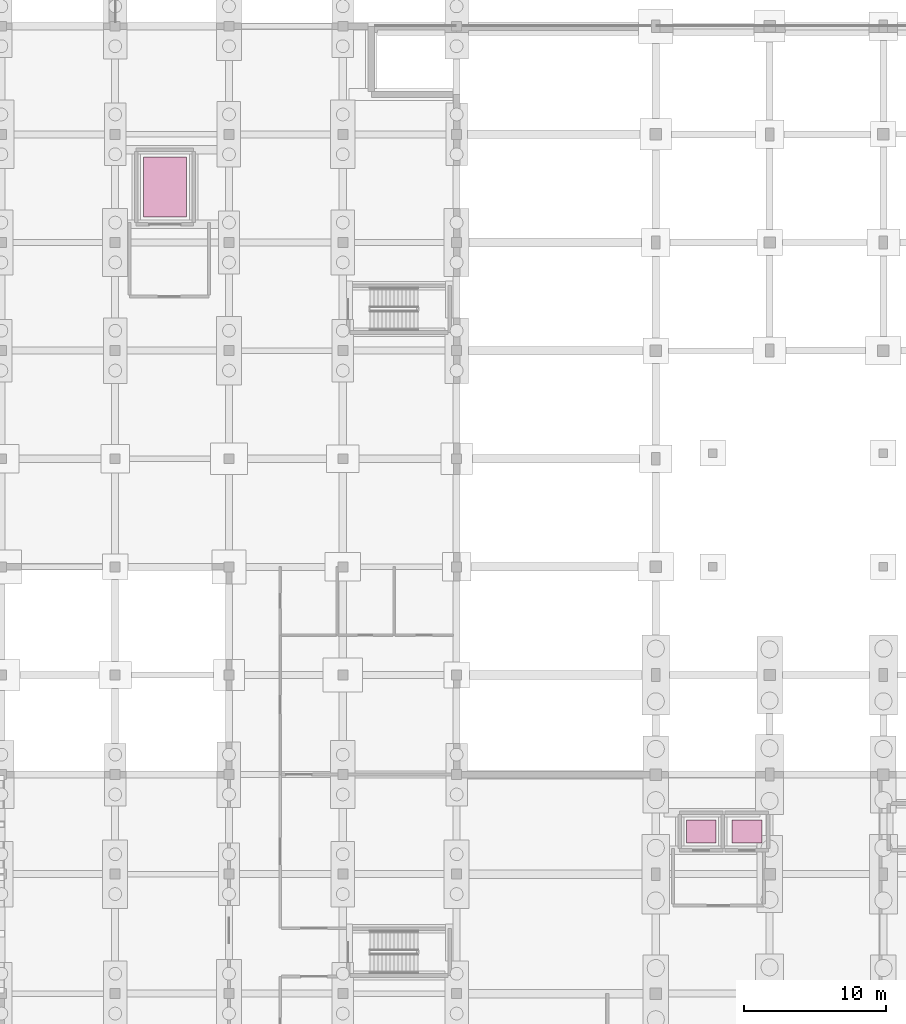
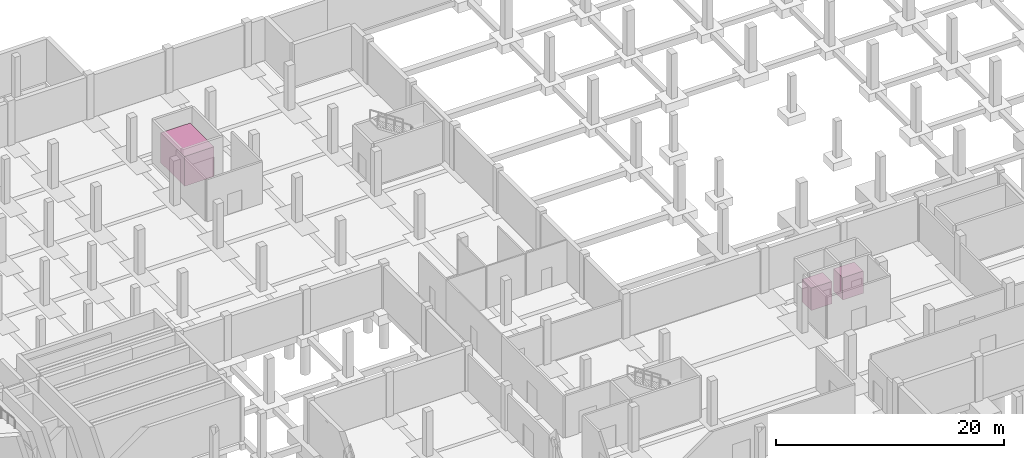
# One storey, part 50 of 50: 3 transport elements.
"""IFC4 building model written with IfcOpenShell, lengths in metres."""

from ifc_helpers import new_model, si_unit, direction, frame, origin, origin_2d, place, context, subcontext, project, spatial, rectangle, extrude, material, type_object, element, save


model = new_model("IFC4")

# Units and contexts
model_context = context("Model", 3, precision=1e-05, world=origin(), true_north=direction((0.0, 1.0)))
body_context = subcontext(model_context, "Body", "Model", "MODEL_VIEW")
ifc_project = project(units=[si_unit("LENGTHUNIT", "METRE"), si_unit("AREAUNIT", "SQUARE_METRE"), si_unit("VOLUMEUNIT", "CUBIC_METRE"), si_unit("PLANEANGLEUNIT", "RADIAN"), si_unit("MASSUNIT", "GRAM", prefix="KILO")], contexts=[model_context])

# Site, building, storey
site_placement = place(None, origin())
site = spatial("IfcSite", under=ifc_project, at=site_placement, CompositionType="ELEMENT")
building_placement = place(site_placement, origin())
building = spatial("IfcBuilding", under=site, at=building_placement, Name="Vekula Escarpment Museum", CompositionType="ELEMENT")
storey_placement = place(building_placement, frame((0.0, 0.0, -4.800048828125)))
storey = spatial("IfcBuildingStorey", under=building, at=storey_placement, Name="B1", CompositionType="ELEMENT", Elevation=-4.800048828125)

# Transport elements
ifc_material_1 = material(Name="Heavy-gauge steel art goods lift car", Category="steel")
transport_element_type_1 = type_object("IfcTransportElementType", Name="LIFT-GOODS-5000", PredefinedType="ELEVATOR", material=ifc_material_1)
transport_element_placement = place(storey_placement, frame((35.5, 124.699951171875, 0.0), z_axis=(0.0, 0.0, 1.0), x_axis=(1.0, 0.0, 0.0)))
element("IfcTransportElement", 1, at=transport_element_placement, inside=storey, type_object=transport_element_type_1, Name="Art Goods Lift GL-01", PredefinedType="ELEVATOR", context=body_context, shape_type="SweptSolid", body=[
    extrude(rectangle(XDim=3.0, YDim=4.199951171875, at=origin_2d()), origin(), (0.0, 0.0, 1.0), 3.199951171875),
])
ifc_material_2 = material(Name="Brushed stainless steel lift car", Category="steel")
transport_element_type_2 = type_object("IfcTransportElementType", Name="LIFT-PAX-1600", PredefinedType="ELEVATOR", material=ifc_material_2)
for number, where, z_axis, x_axis, name in (
    (2, (73.199951171875, 79.39990234375, 0.0), (0.0, 0.0, 1.0), (1.0, 0.0, 0.0), "Passenger Lift LP-01"),
    (3, (76.39990234375, 79.39990234375, 0.0), (0.0, 0.0, 1.0), (1.0, 0.0, 0.0), "Passenger Lift LP-02"),
):
    element("IfcTransportElement", number, at=place(storey_placement, frame(where, z_axis=z_axis, x_axis=x_axis)), inside=storey, type_object=transport_element_type_2, Name=name, PredefinedType="ELEVATOR", context=body_context, shape_type="SweptSolid", body=[
        extrude(rectangle(XDim=2.10009765625, YDim=1.60009765625, at=origin_2d()), origin(), (0.0, 0.0, 1.0), 2.39990234375),
    ])

save(model, "model.ifc")
